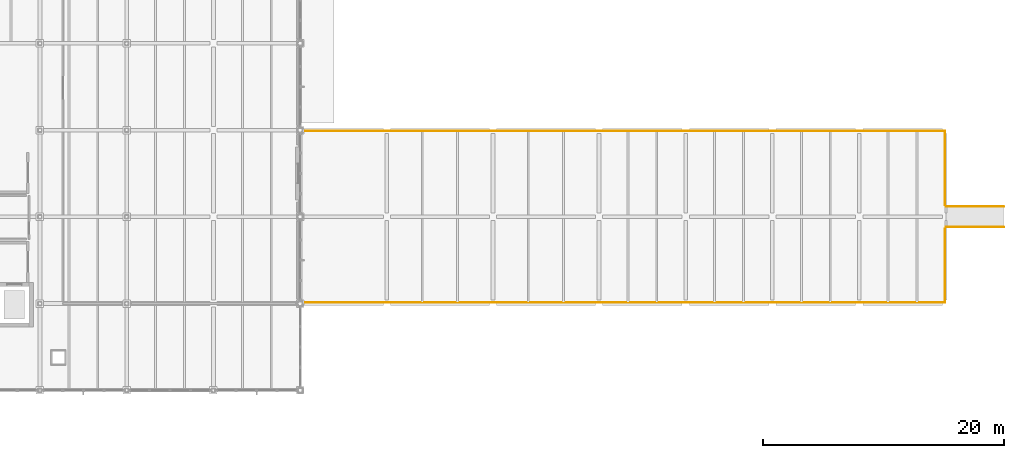
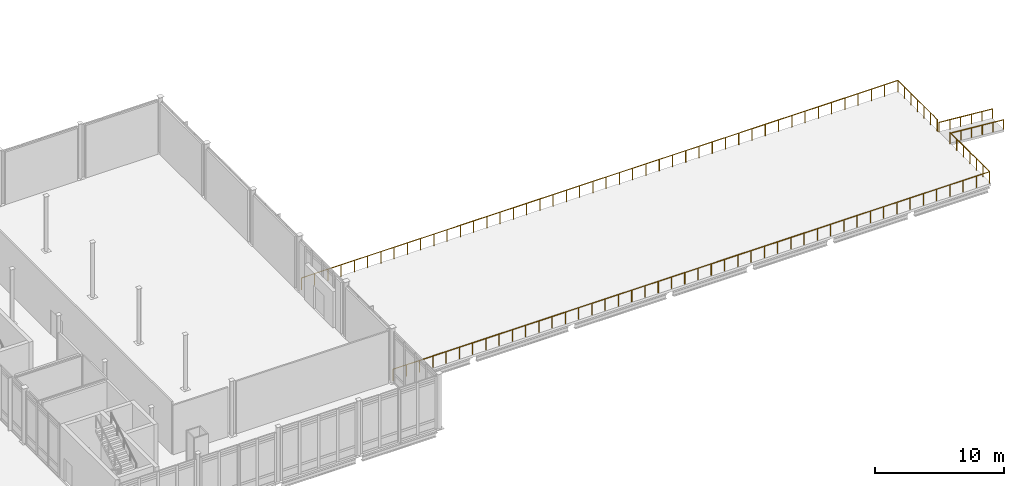
# One storey, part 88 of 89: 6 railings.
"""IFC4 building model written with IfcOpenShell, lengths in metres."""

from ifc_helpers import new_model, si_unit, direction, frame, origin, origin_2d, place, context, subcontext, project, spatial, circle, extrude, material, layer, layer_set, type_object, element, save


model = new_model("IFC4")

# Units and contexts
model_context = context("Model", 3, precision=1e-05, world=origin(), true_north=direction((0.0, 1.0)))
body_context = subcontext(model_context, "Body", "Model", "MODEL_VIEW")
ifc_project = project(units=[si_unit("LENGTHUNIT", "METRE"), si_unit("AREAUNIT", "SQUARE_METRE"), si_unit("VOLUMEUNIT", "CUBIC_METRE"), si_unit("PLANEANGLEUNIT", "RADIAN"), si_unit("MASSUNIT", "GRAM", prefix="KILO")], contexts=[model_context])

# Site, building, storey
site_placement = place(None, origin())
site = spatial("IfcSite", under=ifc_project, at=site_placement, CompositionType="ELEMENT")
building_placement = place(site_placement, origin())
building = spatial("IfcBuilding", under=site, at=building_placement, Name="Zarrinpeak Specialist Clinic", CompositionType="ELEMENT")
storey_placement = place(building_placement, origin())
storey = spatial("IfcBuildingStorey", under=building, at=storey_placement, Name="L00", CompositionType="ELEMENT", Elevation=0.0)

# Railings
ifc_material_1 = material(Name="Powder-Coated Steel Post-and-Rail Balustrade", Category="steel")
ifc_layer_1 = layer(ifc_material_1, 0.06005859375)
ifc_layer_set_1 = layer_set([ifc_layer_1], Name="Powder-Coated Steel Post-and-Rail Balustrade")
railing_type_1 = type_object("IfcRailingType", Name="RL-BAL110", PredefinedType="BALUSTRADE", material=ifc_layer_set_1)
railing_1_placement = place(storey_placement, frame((122.5, 36.080078125, 0.0)))
element("IfcRailing", 1, at=railing_1_placement, inside=storey, type_object=railing_type_1, Name="L00 East Healing Garden C2 Perimeter Balustrade 1", PredefinedType="BALUSTRADE", context=body_context, shape_type="SweptSolid", body=[
    extrude(circle(Radius=0.02392578125, at=origin_2d()), frame((0.0, 0.0, 1.09619140625), z_axis=(1.0, 0.0, 0.0), x_axis=(0.0, 1.0, 0.0)), (0.0, 0.0, 1.0), 53.419921875),
    extrude(circle(Radius=0.02099609375, at=origin_2d()), origin(), (0.0, 0.0, 1.0), 1.072021484375),
    extrude(circle(Radius=0.02099609375, at=origin_2d()), frame((1.18701171875, 0.0, 0.0)), (0.0, 0.0, 1.0), 1.072021484375),
    extrude(circle(Radius=0.02099609375, at=origin_2d()), frame((2.374267578125, 0.0, 0.0)), (0.0, 0.0, 1.0), 1.072021484375),
    extrude(circle(Radius=0.02099609375, at=origin_2d()), frame((3.561279296875, 0.0, 0.0)), (0.0, 0.0, 1.0), 1.072021484375),
    extrude(circle(Radius=0.02099609375, at=origin_2d()), frame((4.74853515625, 0.0, 0.0)), (0.0, 0.0, 1.0), 1.072021484375),
    extrude(circle(Radius=0.02099609375, at=origin_2d()), frame((5.935546875, 0.0, 0.0)), (0.0, 0.0, 1.0), 1.072021484375),
    extrude(circle(Radius=0.02099609375, at=origin_2d()), frame((7.12255859375, 0.0, 0.0)), (0.0, 0.0, 1.0), 1.072021484375),
    extrude(circle(Radius=0.02099609375, at=origin_2d()), frame((8.309814453125, 0.0, 0.0)), (0.0, 0.0, 1.0), 1.072021484375),
    extrude(circle(Radius=0.02099609375, at=origin_2d()), frame((9.496826171875, 0.0, 0.0)), (0.0, 0.0, 1.0), 1.072021484375),
    extrude(circle(Radius=0.02099609375, at=origin_2d()), frame((10.68408203125, 0.0, 0.0)), (0.0, 0.0, 1.0), 1.072021484375),
    extrude(circle(Radius=0.02099609375, at=origin_2d()), frame((11.87109375, 0.0, 0.0)), (0.0, 0.0, 1.0), 1.072021484375),
    extrude(circle(Radius=0.02099609375, at=origin_2d()), frame((13.05810546875, 0.0, 0.0)), (0.0, 0.0, 1.0), 1.072021484375),
    extrude(circle(Radius=0.02099609375, at=origin_2d()), frame((14.245361328125, 0.0, 0.0)), (0.0, 0.0, 1.0), 1.072021484375),
    extrude(circle(Radius=0.02099609375, at=origin_2d()), frame((15.432373046875, 0.0, 0.0)), (0.0, 0.0, 1.0), 1.072021484375),
    extrude(circle(Radius=0.02099609375, at=origin_2d()), frame((16.61962890625, 0.0, 0.0)), (0.0, 0.0, 1.0), 1.072021484375),
    extrude(circle(Radius=0.02099609375, at=origin_2d()), frame((17.806640625, 0.0, 0.0)), (0.0, 0.0, 1.0), 1.072021484375),
    extrude(circle(Radius=0.02099609375, at=origin_2d()), frame((18.99365234375, 0.0, 0.0)), (0.0, 0.0, 1.0), 1.072021484375),
    extrude(circle(Radius=0.02099609375, at=origin_2d()), frame((20.180908203125, 0.0, 0.0)), (0.0, 0.0, 1.0), 1.072021484375),
    extrude(circle(Radius=0.02099609375, at=origin_2d()), frame((21.367919921875, 0.0, 0.0)), (0.0, 0.0, 1.0), 1.072021484375),
    extrude(circle(Radius=0.02099609375, at=origin_2d()), frame((22.55517578125, 0.0, 0.0)), (0.0, 0.0, 1.0), 1.072021484375),
    extrude(circle(Radius=0.02099609375, at=origin_2d()), frame((23.7421875, 0.0, 0.0)), (0.0, 0.0, 1.0), 1.072021484375),
    extrude(circle(Radius=0.02099609375, at=origin_2d()), frame((24.92919921875, 0.0, 0.0)), (0.0, 0.0, 1.0), 1.072021484375),
    extrude(circle(Radius=0.02099609375, at=origin_2d()), frame((26.116455078125, 0.0, 0.0)), (0.0, 0.0, 1.0), 1.072021484375),
    extrude(circle(Radius=0.02099609375, at=origin_2d()), frame((27.303466796875, 0.0, 0.0)), (0.0, 0.0, 1.0), 1.072021484375),
    extrude(circle(Radius=0.02099609375, at=origin_2d()), frame((28.49072265625, 0.0, 0.0)), (0.0, 0.0, 1.0), 1.072021484375),
    extrude(circle(Radius=0.02099609375, at=origin_2d()), frame((29.677734375, 0.0, 0.0)), (0.0, 0.0, 1.0), 1.072021484375),
    extrude(circle(Radius=0.02099609375, at=origin_2d()), frame((30.86474609375, 0.0, 0.0)), (0.0, 0.0, 1.0), 1.072021484375),
    extrude(circle(Radius=0.02099609375, at=origin_2d()), frame((32.052001953125, 0.0, 0.0)), (0.0, 0.0, 1.0), 1.072021484375),
    extrude(circle(Radius=0.02099609375, at=origin_2d()), frame((33.239013671875, 0.0, 0.0)), (0.0, 0.0, 1.0), 1.072021484375),
    extrude(circle(Radius=0.02099609375, at=origin_2d()), frame((34.42626953125, 0.0, 0.0)), (0.0, 0.0, 1.0), 1.072021484375),
    extrude(circle(Radius=0.02099609375, at=origin_2d()), frame((35.61328125, 0.0, 0.0)), (0.0, 0.0, 1.0), 1.072021484375),
    extrude(circle(Radius=0.02099609375, at=origin_2d()), frame((36.80029296875, 0.0, 0.0)), (0.0, 0.0, 1.0), 1.072021484375),
    extrude(circle(Radius=0.02099609375, at=origin_2d()), frame((37.987548828125, 0.0, 0.0)), (0.0, 0.0, 1.0), 1.072021484375),
    extrude(circle(Radius=0.02099609375, at=origin_2d()), frame((39.174560546875, 0.0, 0.0)), (0.0, 0.0, 1.0), 1.072021484375),
    extrude(circle(Radius=0.02099609375, at=origin_2d()), frame((40.36181640625, 0.0, 0.0)), (0.0, 0.0, 1.0), 1.072021484375),
    extrude(circle(Radius=0.02099609375, at=origin_2d()), frame((41.548828125, 0.0, 0.0)), (0.0, 0.0, 1.0), 1.072021484375),
    extrude(circle(Radius=0.02099609375, at=origin_2d()), frame((42.73583984375, 0.0, 0.0)), (0.0, 0.0, 1.0), 1.072021484375),
    extrude(circle(Radius=0.02099609375, at=origin_2d()), frame((43.923095703125, 0.0, 0.0)), (0.0, 0.0, 1.0), 1.072021484375),
    extrude(circle(Radius=0.02099609375, at=origin_2d()), frame((45.110107421875, 0.0, 0.0)), (0.0, 0.0, 1.0), 1.072021484375),
    extrude(circle(Radius=0.02099609375, at=origin_2d()), frame((46.29736328125, 0.0, 0.0)), (0.0, 0.0, 1.0), 1.072021484375),
    extrude(circle(Radius=0.02099609375, at=origin_2d()), frame((47.484375, 0.0, 0.0)), (0.0, 0.0, 1.0), 1.072021484375),
    extrude(circle(Radius=0.02099609375, at=origin_2d()), frame((48.67138671875, 0.0, 0.0)), (0.0, 0.0, 1.0), 1.072021484375),
    extrude(circle(Radius=0.02099609375, at=origin_2d()), frame((49.858642578125, 0.0, 0.0)), (0.0, 0.0, 1.0), 1.072021484375),
    extrude(circle(Radius=0.02099609375, at=origin_2d()), frame((51.045654296875, 0.0, 0.0)), (0.0, 0.0, 1.0), 1.072021484375),
    extrude(circle(Radius=0.02099609375, at=origin_2d()), frame((52.23291015625, 0.0, 0.0)), (0.0, 0.0, 1.0), 1.072021484375),
    extrude(circle(Radius=0.02099609375, at=origin_2d()), frame((53.419921875, 0.0, 0.0)), (0.0, 0.0, 1.0), 1.072021484375),
])
railing_2_placement = place(storey_placement, frame((122.5, 50.320068359375, 0.0)))
element("IfcRailing", 2, at=railing_2_placement, inside=storey, type_object=railing_type_1, Name="L00 East Healing Garden C2 Perimeter Balustrade 2", PredefinedType="BALUSTRADE", context=body_context, shape_type="SweptSolid", body=[
    extrude(circle(Radius=0.02392578125, at=origin_2d()), frame((0.0, 0.0, 1.09619140625), z_axis=(1.0, 0.0, 0.0), x_axis=(0.0, 1.0, 0.0)), (0.0, 0.0, 1.0), 53.419921875),
    extrude(circle(Radius=0.02099609375, at=origin_2d()), origin(), (0.0, 0.0, 1.0), 1.072021484375),
    extrude(circle(Radius=0.02099609375, at=origin_2d()), frame((1.18701171875, 0.0, 0.0)), (0.0, 0.0, 1.0), 1.072021484375),
    extrude(circle(Radius=0.02099609375, at=origin_2d()), frame((2.374267578125, 0.0, 0.0)), (0.0, 0.0, 1.0), 1.072021484375),
    extrude(circle(Radius=0.02099609375, at=origin_2d()), frame((3.561279296875, 0.0, 0.0)), (0.0, 0.0, 1.0), 1.072021484375),
    extrude(circle(Radius=0.02099609375, at=origin_2d()), frame((4.74853515625, 0.0, 0.0)), (0.0, 0.0, 1.0), 1.072021484375),
    extrude(circle(Radius=0.02099609375, at=origin_2d()), frame((5.935546875, 0.0, 0.0)), (0.0, 0.0, 1.0), 1.072021484375),
    extrude(circle(Radius=0.02099609375, at=origin_2d()), frame((7.12255859375, 0.0, 0.0)), (0.0, 0.0, 1.0), 1.072021484375),
    extrude(circle(Radius=0.02099609375, at=origin_2d()), frame((8.309814453125, 0.0, 0.0)), (0.0, 0.0, 1.0), 1.072021484375),
    extrude(circle(Radius=0.02099609375, at=origin_2d()), frame((9.496826171875, 0.0, 0.0)), (0.0, 0.0, 1.0), 1.072021484375),
    extrude(circle(Radius=0.02099609375, at=origin_2d()), frame((10.68408203125, 0.0, 0.0)), (0.0, 0.0, 1.0), 1.072021484375),
    extrude(circle(Radius=0.02099609375, at=origin_2d()), frame((11.87109375, 0.0, 0.0)), (0.0, 0.0, 1.0), 1.072021484375),
    extrude(circle(Radius=0.02099609375, at=origin_2d()), frame((13.05810546875, 0.0, 0.0)), (0.0, 0.0, 1.0), 1.072021484375),
    extrude(circle(Radius=0.02099609375, at=origin_2d()), frame((14.245361328125, 0.0, 0.0)), (0.0, 0.0, 1.0), 1.072021484375),
    extrude(circle(Radius=0.02099609375, at=origin_2d()), frame((15.432373046875, 0.0, 0.0)), (0.0, 0.0, 1.0), 1.072021484375),
    extrude(circle(Radius=0.02099609375, at=origin_2d()), frame((16.61962890625, 0.0, 0.0)), (0.0, 0.0, 1.0), 1.072021484375),
    extrude(circle(Radius=0.02099609375, at=origin_2d()), frame((17.806640625, 0.0, 0.0)), (0.0, 0.0, 1.0), 1.072021484375),
    extrude(circle(Radius=0.02099609375, at=origin_2d()), frame((18.99365234375, 0.0, 0.0)), (0.0, 0.0, 1.0), 1.072021484375),
    extrude(circle(Radius=0.02099609375, at=origin_2d()), frame((20.180908203125, 0.0, 0.0)), (0.0, 0.0, 1.0), 1.072021484375),
    extrude(circle(Radius=0.02099609375, at=origin_2d()), frame((21.367919921875, 0.0, 0.0)), (0.0, 0.0, 1.0), 1.072021484375),
    extrude(circle(Radius=0.02099609375, at=origin_2d()), frame((22.55517578125, 0.0, 0.0)), (0.0, 0.0, 1.0), 1.072021484375),
    extrude(circle(Radius=0.02099609375, at=origin_2d()), frame((23.7421875, 0.0, 0.0)), (0.0, 0.0, 1.0), 1.072021484375),
    extrude(circle(Radius=0.02099609375, at=origin_2d()), frame((24.92919921875, 0.0, 0.0)), (0.0, 0.0, 1.0), 1.072021484375),
    extrude(circle(Radius=0.02099609375, at=origin_2d()), frame((26.116455078125, 0.0, 0.0)), (0.0, 0.0, 1.0), 1.072021484375),
    extrude(circle(Radius=0.02099609375, at=origin_2d()), frame((27.303466796875, 0.0, 0.0)), (0.0, 0.0, 1.0), 1.072021484375),
    extrude(circle(Radius=0.02099609375, at=origin_2d()), frame((28.49072265625, 0.0, 0.0)), (0.0, 0.0, 1.0), 1.072021484375),
    extrude(circle(Radius=0.02099609375, at=origin_2d()), frame((29.677734375, 0.0, 0.0)), (0.0, 0.0, 1.0), 1.072021484375),
    extrude(circle(Radius=0.02099609375, at=origin_2d()), frame((30.86474609375, 0.0, 0.0)), (0.0, 0.0, 1.0), 1.072021484375),
    extrude(circle(Radius=0.02099609375, at=origin_2d()), frame((32.052001953125, 0.0, 0.0)), (0.0, 0.0, 1.0), 1.072021484375),
    extrude(circle(Radius=0.02099609375, at=origin_2d()), frame((33.239013671875, 0.0, 0.0)), (0.0, 0.0, 1.0), 1.072021484375),
    extrude(circle(Radius=0.02099609375, at=origin_2d()), frame((34.42626953125, 0.0, 0.0)), (0.0, 0.0, 1.0), 1.072021484375),
    extrude(circle(Radius=0.02099609375, at=origin_2d()), frame((35.61328125, 0.0, 0.0)), (0.0, 0.0, 1.0), 1.072021484375),
    extrude(circle(Radius=0.02099609375, at=origin_2d()), frame((36.80029296875, 0.0, 0.0)), (0.0, 0.0, 1.0), 1.072021484375),
    extrude(circle(Radius=0.02099609375, at=origin_2d()), frame((37.987548828125, 0.0, 0.0)), (0.0, 0.0, 1.0), 1.072021484375),
    extrude(circle(Radius=0.02099609375, at=origin_2d()), frame((39.174560546875, 0.0, 0.0)), (0.0, 0.0, 1.0), 1.072021484375),
    extrude(circle(Radius=0.02099609375, at=origin_2d()), frame((40.36181640625, 0.0, 0.0)), (0.0, 0.0, 1.0), 1.072021484375),
    extrude(circle(Radius=0.02099609375, at=origin_2d()), frame((41.548828125, 0.0, 0.0)), (0.0, 0.0, 1.0), 1.072021484375),
    extrude(circle(Radius=0.02099609375, at=origin_2d()), frame((42.73583984375, 0.0, 0.0)), (0.0, 0.0, 1.0), 1.072021484375),
    extrude(circle(Radius=0.02099609375, at=origin_2d()), frame((43.923095703125, 0.0, 0.0)), (0.0, 0.0, 1.0), 1.072021484375),
    extrude(circle(Radius=0.02099609375, at=origin_2d()), frame((45.110107421875, 0.0, 0.0)), (0.0, 0.0, 1.0), 1.072021484375),
    extrude(circle(Radius=0.02099609375, at=origin_2d()), frame((46.29736328125, 0.0, 0.0)), (0.0, 0.0, 1.0), 1.072021484375),
    extrude(circle(Radius=0.02099609375, at=origin_2d()), frame((47.484375, 0.0, 0.0)), (0.0, 0.0, 1.0), 1.072021484375),
    extrude(circle(Radius=0.02099609375, at=origin_2d()), frame((48.67138671875, 0.0, 0.0)), (0.0, 0.0, 1.0), 1.072021484375),
    extrude(circle(Radius=0.02099609375, at=origin_2d()), frame((49.858642578125, 0.0, 0.0)), (0.0, 0.0, 1.0), 1.072021484375),
    extrude(circle(Radius=0.02099609375, at=origin_2d()), frame((51.045654296875, 0.0, 0.0)), (0.0, 0.0, 1.0), 1.072021484375),
    extrude(circle(Radius=0.02099609375, at=origin_2d()), frame((52.23291015625, 0.0, 0.0)), (0.0, 0.0, 1.0), 1.072021484375),
    extrude(circle(Radius=0.02099609375, at=origin_2d()), frame((53.419921875, 0.0, 0.0)), (0.0, 0.0, 1.0), 1.072021484375),
])
railing_3_placement = place(storey_placement, frame((175.919921875, 36.080078125, 0.0)))
element("IfcRailing", 3, at=railing_3_placement, inside=storey, type_object=railing_type_1, Name="L00 East Healing Garden C2 Perimeter Balustrade 3", PredefinedType="BALUSTRADE", context=body_context, shape_type="SweptSolid", body=[
    extrude(circle(Radius=0.02392578125, at=origin_2d()), frame((0.0, 0.0, 1.09619140625), z_axis=(0.0, 1.0, 0.0), x_axis=(-1.0, 0.0, 0.0)), (0.0, 0.0, 1.0), 6.119873046875),
    extrude(circle(Radius=0.02099609375, at=origin_2d()), origin(), (0.0, 0.0, 1.0), 1.072021484375),
    extrude(circle(Radius=0.02099609375, at=origin_2d()), frame((0.0, 1.02001953125, 0.0)), (0.0, 0.0, 1.0), 1.072021484375),
    extrude(circle(Radius=0.02099609375, at=origin_2d()), frame((0.0, 2.0400390625, 0.0)), (0.0, 0.0, 1.0), 1.072021484375),
    extrude(circle(Radius=0.02099609375, at=origin_2d()), frame((0.0, 3.06005859375, 0.0)), (0.0, 0.0, 1.0), 1.072021484375),
    extrude(circle(Radius=0.02099609375, at=origin_2d()), frame((0.0, 4.079833984375, 0.0)), (0.0, 0.0, 1.0), 1.072021484375),
    extrude(circle(Radius=0.02099609375, at=origin_2d()), frame((0.0, 5.099853515625, 0.0)), (0.0, 0.0, 1.0), 1.072021484375),
    extrude(circle(Radius=0.02099609375, at=origin_2d()), frame((0.0, 6.119873046875, 0.0)), (0.0, 0.0, 1.0), 1.072021484375),
])
railing_4_placement = place(storey_placement, frame((175.919921875, 44.199951171875, 0.0)))
element("IfcRailing", 4, at=railing_4_placement, inside=storey, type_object=railing_type_1, Name="L00 East Healing Garden C2 Perimeter Balustrade 4", PredefinedType="BALUSTRADE", context=body_context, shape_type="SweptSolid", body=[
    extrude(circle(Radius=0.02392578125, at=origin_2d()), frame((0.0, 0.0, 1.09619140625), z_axis=(0.0, 1.0, 0.0), x_axis=(-1.0, 0.0, 0.0)), (0.0, 0.0, 1.0), 6.1201171875),
    extrude(circle(Radius=0.02099609375, at=origin_2d()), origin(), (0.0, 0.0, 1.0), 1.072021484375),
    extrude(circle(Radius=0.02099609375, at=origin_2d()), frame((0.0, 1.02001953125, 0.0)), (0.0, 0.0, 1.0), 1.072021484375),
    extrude(circle(Radius=0.02099609375, at=origin_2d()), frame((0.0, 2.0400390625, 0.0)), (0.0, 0.0, 1.0), 1.072021484375),
    extrude(circle(Radius=0.02099609375, at=origin_2d()), frame((0.0, 3.06005859375, 0.0)), (0.0, 0.0, 1.0), 1.072021484375),
    extrude(circle(Radius=0.02099609375, at=origin_2d()), frame((0.0, 4.080078125, 0.0)), (0.0, 0.0, 1.0), 1.072021484375),
    extrude(circle(Radius=0.02099609375, at=origin_2d()), frame((0.0, 5.10009765625, 0.0)), (0.0, 0.0, 1.0), 1.072021484375),
    extrude(circle(Radius=0.02099609375, at=origin_2d()), frame((0.0, 6.1201171875, 0.0)), (0.0, 0.0, 1.0), 1.072021484375),
])
ifc_material_2 = material(Name="Brushed Stainless Steel 316 Handrail", Category="steel")
ifc_layer_2 = layer(ifc_material_2, 0.050048828125)
ifc_layer_set_2 = layer_set([ifc_layer_2], Name="Brushed Stainless Steel 316 Handrail")
railing_type_2 = type_object("IfcRailingType", Name="RL-HND92", PredefinedType="HANDRAIL", material=ifc_layer_set_2)
for number, where, name in (
    (5, (180.800048828125, 42.35009765625, -0.39990234375), "Accessible Ramp Handrail R-ACC4-L"),
    (6, (180.800048828125, 44.050048828125, -0.39990234375), "Accessible Ramp Handrail R-ACC4-R"),
):
    element("IfcRailing", number, at=place(storey_placement, frame(where)), inside=storey, type_object=railing_type_2, Name=name, PredefinedType="HANDRAIL", context=body_context, shape_type="SweptSolid", body=[
        extrude(circle(Radius=0.02392578125, at=origin_2d()), frame((0.0, 0.0, 0.89599609375), z_axis=(-0.996547505835, 0.0, 0.083024506106), x_axis=(0.0, -1.0, 0.0)), (0.0, 0.0, 1.0), 4.816650390625),
        extrude(circle(Radius=0.02099609375, at=origin_2d()), origin(), (0.0, 0.0, 1.0), 0.871826171875),
        extrude(circle(Radius=0.02099609375, at=origin_2d()), frame((-0.9599609375, 0.0, 0.080078125)), (0.0, 0.0, 1.0), 0.871826171875),
        extrude(circle(Radius=0.02099609375, at=origin_2d()), frame((-1.919921875, 0.0, 0.159912109375)), (0.0, 0.0, 1.0), 0.871826171875),
        extrude(circle(Radius=0.02099609375, at=origin_2d()), frame((-2.880126953125, 0.0, 0.239990234375)), (0.0, 0.0, 1.0), 0.871826171875),
        extrude(circle(Radius=0.02099609375, at=origin_2d()), frame((-3.840087890625, 0.0, 0.31982421875)), (0.0, 0.0, 1.0), 0.871826171875),
        extrude(circle(Radius=0.02099609375, at=origin_2d()), frame((-4.800048828125, 0.0, 0.39990234375)), (0.0, 0.0, 1.0), 0.871826171875),
    ])

save(model, "model.ifc")
